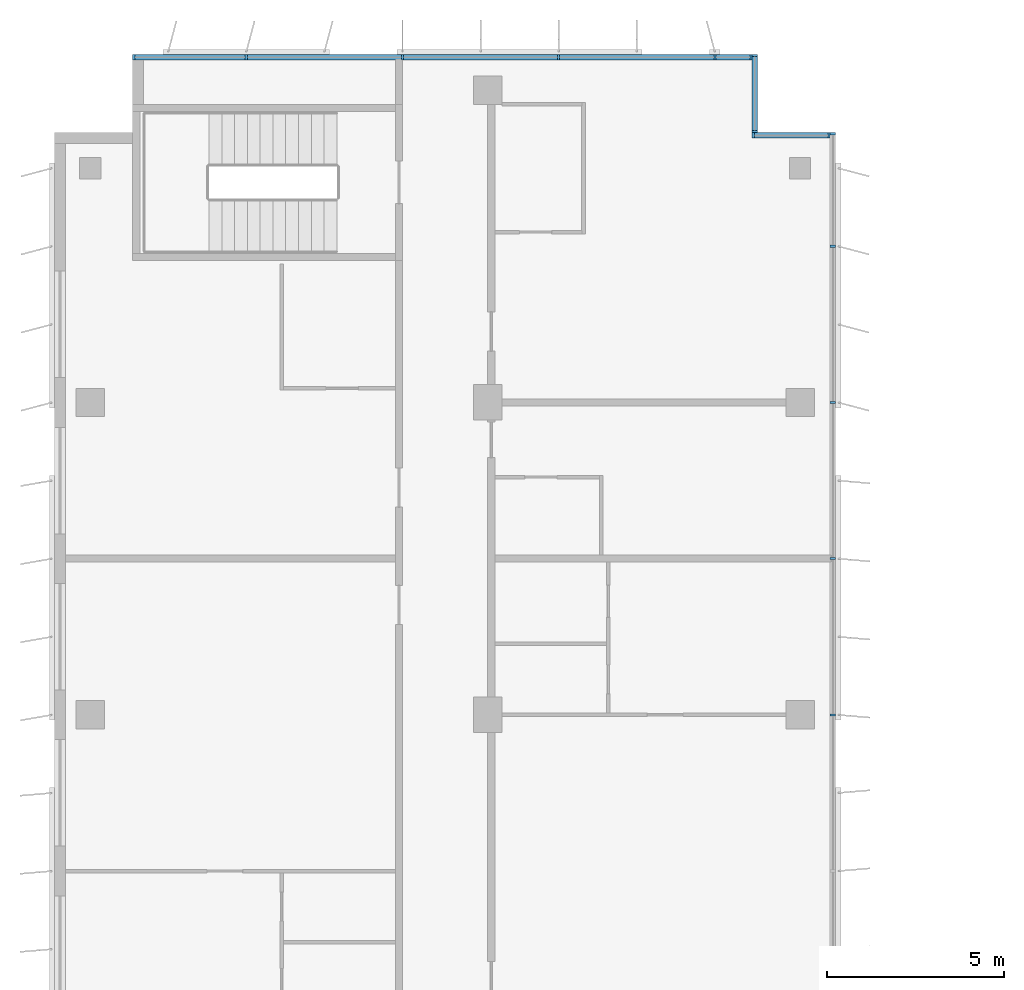
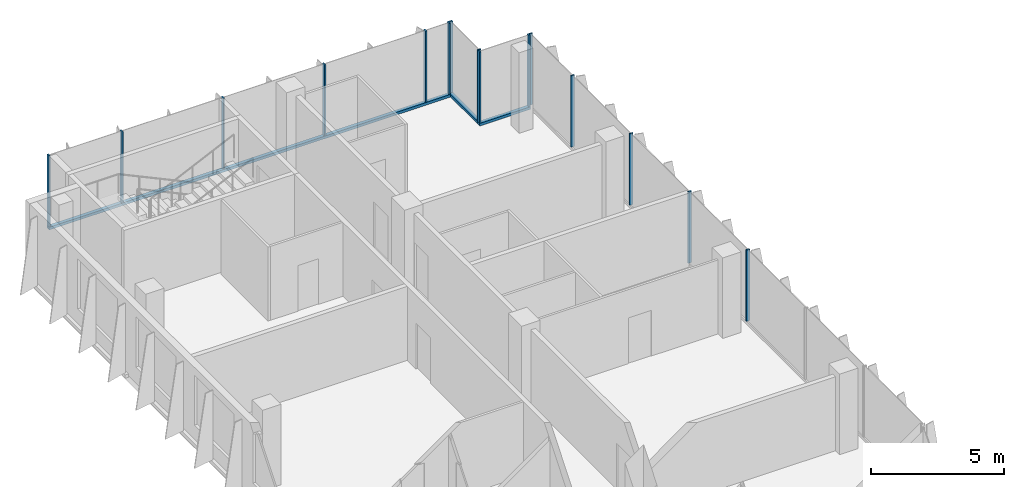
# One storey, part 6 of 15: 18 members, 4 elements without a shape of their own.
"""IFC4 building model written with IfcOpenShell, lengths in metres."""

from ifc_helpers import new_model, si_unit, direction, frame, origin, origin_2d, place, context, subcontext, project, spatial, rectangle, extrude, source, transform, mapped, material, material_profile, profile_set, type_object, element, aggregate, save


model = new_model("IFC4")

# Units and contexts
model_context = context("Model", 3, precision=1e-05, world=origin(), true_north=direction((0.0, 1.0)))
body_context = subcontext(model_context, "Body", "Model", "MODEL_VIEW")
ifc_project = project(units=[si_unit("LENGTHUNIT", "METRE"), si_unit("AREAUNIT", "SQUARE_METRE"), si_unit("VOLUMEUNIT", "CUBIC_METRE"), si_unit("PLANEANGLEUNIT", "RADIAN"), si_unit("MASSUNIT", "GRAM", prefix="KILO")], contexts=[model_context])

# Site, building, storey
site_placement = place(None, origin())
site = spatial("IfcSite", under=ifc_project, at=site_placement, CompositionType="ELEMENT")
building_placement = place(site_placement, origin())
building = spatial("IfcBuilding", under=site, at=building_placement, Name="Kemantara Hotel Tower", CompositionType="ELEMENT")
storey_placement = place(building_placement, frame((0.0, 0.0, 237.60009765625)))
storey = spatial("IfcBuildingStorey", under=building, at=storey_placement, Name="L59", CompositionType="ELEMENT", Elevation=237.60009765625)

# Curtain wall, member
ifc_material_1 = material(Name="Low-E tinted double insulated glass 36 mm", Category="glass")
curtain_wall_type = type_object("IfcCurtainWallType", Name="TOWER CURTAIN WALL, FRONT FACES", PredefinedType="USERDEFINED", material=ifc_material_1)
curtain_wall_1_placement = place(storey_placement, origin())
curtain_wall_1 = element("IfcCurtainWall", 1, at=curtain_wall_1_placement, inside=storey, type_object=curtain_wall_type, Name="CW4 L59 T4-R02-1", ObjectType="TOWER CURTAIN WALL, FRONT FACES", PredefinedType="USERDEFINED")
ifc_material_2 = material(Name="Aluminium 6063-T6 bronze anodised", Category="aluminium")
ifc_material_profile_1 = material_profile(ifc_material_2, rectangle(XDim=0.14990234375, YDim=0.1201171875, at=origin_2d()), Name="TOWER CURTAIN WALL, FRONT FACES TRANSOM")
ifc_profile_set_1 = profile_set([ifc_material_profile_1], Name="Aluminium 6063-T6 bronze anodised")
member_type_1 = type_object("IfcMemberType", Name="TOWER CURTAIN WALL, FRONT FACES TRANSOM", PredefinedType="USERDEFINED", material=ifc_profile_set_1)
member_1_placement = place(storey_placement, frame((19.64990234375, 63.52490234375, 0.059814453125), z_axis=(-1.0, 0.0, 0.0), x_axis=(0.0, -1.0, 0.0)))
member_1 = element("IfcMember", 2, at=member_1_placement, type_object=member_type_1, Name="CW4 sill transom T4-R02-1", ObjectType="TRANSOM", PredefinedType="USERDEFINED", context=body_context, shape_type="SweptSolid", body=[
    extrude(rectangle(XDim=0.14990234375, YDim=0.1201171875, at=origin_2d()), origin(), (0.0, 0.0, 1.0), 17.449951171875),
])

curtain_wall_2_placement = place(storey_placement, origin())
curtain_wall_2 = element("IfcCurtainWall", 3, at=curtain_wall_2_placement, inside=storey, type_object=curtain_wall_type, Name="CW4 L59 T4-R00-1", ObjectType="TOWER CURTAIN WALL, FRONT FACES", PredefinedType="USERDEFINED")
member_2_placement = place(storey_placement, frame((21.85009765625, 61.324951171875, 0.059814453125), z_axis=(-1.0, 0.0, 0.0), x_axis=(0.0, -1.0, 0.0)))
member_2 = element("IfcMember", 4, at=member_2_placement, type_object=member_type_1, Name="CW4 sill transom T4-R00-1", ObjectType="TRANSOM", PredefinedType="USERDEFINED", context=body_context, shape_type="SweptSolid", body=[
    extrude(rectangle(XDim=0.14990234375, YDim=0.1201171875, at=origin_2d()), origin(), (0.0, 0.0, 1.0), 2.2001953125),
])

curtain_wall_3_placement = place(storey_placement, origin())
curtain_wall_3 = element("IfcCurtainWall", 5, at=curtain_wall_3_placement, inside=storey, type_object=curtain_wall_type, Name="CW4 L59 T4-R01-1", ObjectType="TOWER CURTAIN WALL, FRONT FACES", PredefinedType="USERDEFINED")
member_3_placement = place(storey_placement, frame((19.72509765625, 61.39990234375, 0.059814453125), z_axis=(0.0, 1.0, 0.0), x_axis=(-1.0, 0.0, 0.0)))
member_3 = element("IfcMember", 6, at=member_3_placement, type_object=member_type_1, Name="CW4 sill transom T4-R01-1", ObjectType="TRANSOM", PredefinedType="USERDEFINED", context=body_context, shape_type="SweptSolid", body=[
    extrude(rectangle(XDim=0.14990234375, YDim=0.1201171875, at=origin_2d()), origin(), (0.0, 0.0, 1.0), 2.2001953125),
])

# Member
ifc_material_profile_2 = material_profile(ifc_material_2, rectangle(XDim=0.14990234375, YDim=0.06005859375, at=origin_2d()), Name="TOWER CURTAIN WALL, FRONT FACES MULLION")
ifc_profile_set_2 = profile_set([ifc_material_profile_2], Name="Aluminium 6063-T6 bronze anodised")
member_type_2 = type_object("IfcMemberType", Name="TOWER CURTAIN WALL, FRONT FACES MULLION", PredefinedType="MULLION", material=ifc_profile_set_2)
shared_shape = source(origin(), body_context, "Body", "SweptSolid", [
    extrude(rectangle(XDim=0.14990234375, YDim=0.06005859375, at=origin_2d()), origin(), (0.0, 0.0, 1.0), 3.280029296875),
])
member_4_placement = place(storey_placement, frame((19.6201171875, 63.52490234375, 0.119873046875), z_axis=(0.0, 0.0, 1.0), x_axis=(0.0, -1.0, 0.0)))
member_4 = element("IfcMember", 7, at=member_4_placement, type_object=member_type_2, Name="CW4 mullion T4-R02-1.1", PredefinedType="MULLION", context=body_context, shape_type="MappedRepresentation", body=[
    mapped(shared_shape, transform((0.0, 0.0, 0.0))),
])

member_5_placement = place(storey_placement, frame((18.60009765625, 63.52490234375, 0.119873046875), z_axis=(0.0, 0.0, 1.0), x_axis=(0.0, -1.0, 0.0)))
member_5 = element("IfcMember", 8, at=member_5_placement, type_object=member_type_2, Name="CW4 mullion T4-R02-1.2", PredefinedType="MULLION", context=body_context, shape_type="MappedRepresentation", body=[
    mapped(shared_shape, transform((0.0, 0.0, 0.0))),
])

member_6_placement = place(storey_placement, frame((14.199951171875, 63.52490234375, 0.119873046875), z_axis=(0.0, 0.0, 1.0), x_axis=(0.0, -1.0, 0.0)))
member_6 = element("IfcMember", 9, at=member_6_placement, type_object=member_type_2, Name="CW4 mullion T4-R02-1.3", PredefinedType="MULLION", context=body_context, shape_type="MappedRepresentation", body=[
    mapped(shared_shape, transform((0.0, 0.0, 0.0))),
])

member_7_placement = place(storey_placement, frame((9.800048828125, 63.52490234375, 0.119873046875), z_axis=(0.0, 0.0, 1.0), x_axis=(0.0, -1.0, 0.0)))
member_7 = element("IfcMember", 10, at=member_7_placement, type_object=member_type_2, Name="CW4 mullion T4-R02-1.4", PredefinedType="MULLION", context=body_context, shape_type="MappedRepresentation", body=[
    mapped(shared_shape, transform((0.0, 0.0, 0.0))),
])

member_8_placement = place(storey_placement, frame((5.39990234375, 63.52490234375, 0.119873046875), z_axis=(0.0, 0.0, 1.0), x_axis=(0.0, -1.0, 0.0)))
member_8 = element("IfcMember", 11, at=member_8_placement, type_object=member_type_2, Name="CW4 mullion T4-R02-1.5", PredefinedType="MULLION", context=body_context, shape_type="MappedRepresentation", body=[
    mapped(shared_shape, transform((0.0, 0.0, 0.0))),
])

member_9_placement = place(storey_placement, frame((2.22998046875, 63.52490234375, 0.119873046875), z_axis=(0.0, 0.0, 1.0), x_axis=(0.0, -1.0, 0.0)))
member_9 = element("IfcMember", 12, at=member_9_placement, type_object=member_type_2, Name="CW4 mullion T4-R02-1.6", PredefinedType="MULLION", context=body_context, shape_type="MappedRepresentation", body=[
    mapped(shared_shape, transform((0.0, 0.0, 0.0))),
])

aggregate(curtain_wall_1, [member_1, member_4, member_5, member_6, member_7, member_8, member_9])

# Curtain wall, members
curtain_wall_4_placement = place(storey_placement, origin())
curtain_wall_4 = element("IfcCurtainWall", 13, at=curtain_wall_4_placement, inside=storey, type_object=curtain_wall_type, Name="CW4 L59 T4-R15-1", ObjectType="TOWER CURTAIN WALL, FRONT FACES", PredefinedType="USERDEFINED")
member_10_placement = place(storey_placement, frame((21.925048828125, 45.0, 0.119873046875), z_axis=(0.0, 0.0, 1.0), x_axis=(-1.0, 0.0, 0.0)))
member_10 = element("IfcMember", 14, at=member_10_placement, type_object=member_type_2, Name="CW4 mullion T4-R15-1.6", PredefinedType="MULLION", context=body_context, shape_type="MappedRepresentation", body=[
    mapped(shared_shape, transform((0.0, 0.0, 0.0))),
])
member_11_placement = place(storey_placement, frame((21.925048828125, 49.39990234375, 0.119873046875), z_axis=(0.0, 0.0, 1.0), x_axis=(-1.0, 0.0, 0.0)))
member_11 = element("IfcMember", 15, at=member_11_placement, type_object=member_type_2, Name="CW4 mullion T4-R15-1.7", PredefinedType="MULLION", context=body_context, shape_type="MappedRepresentation", body=[
    mapped(shared_shape, transform((0.0, 0.0, 0.0))),
])
member_12_placement = place(storey_placement, frame((21.925048828125, 53.800048828125, 0.119873046875), z_axis=(0.0, 0.0, 1.0), x_axis=(-1.0, 0.0, 0.0)))
member_12 = element("IfcMember", 16, at=member_12_placement, type_object=member_type_2, Name="CW4 mullion T4-R15-1.8", PredefinedType="MULLION", context=body_context, shape_type="MappedRepresentation", body=[
    mapped(shared_shape, transform((0.0, 0.0, 0.0))),
])
member_13_placement = place(storey_placement, frame((21.925048828125, 58.199951171875, 0.119873046875), z_axis=(0.0, 0.0, 1.0), x_axis=(-1.0, 0.0, 0.0)))
member_13 = element("IfcMember", 17, at=member_13_placement, type_object=member_type_2, Name="CW4 mullion T4-R15-1.9", PredefinedType="MULLION", context=body_context, shape_type="MappedRepresentation", body=[
    mapped(shared_shape, transform((0.0, 0.0, 0.0))),
])
member_14_placement = place(storey_placement, frame((21.925048828125, 61.3701171875, 0.119873046875), z_axis=(0.0, 0.0, 1.0), x_axis=(-1.0, 0.0, 0.0)))
member_14 = element("IfcMember", 18, at=member_14_placement, type_object=member_type_2, Name="CW4 mullion T4-R15-1.10", PredefinedType="MULLION", context=body_context, shape_type="MappedRepresentation", body=[
    mapped(shared_shape, transform((0.0, 0.0, 0.0))),
])
aggregate(curtain_wall_4, [member_10, member_11, member_12, member_13, member_14])

# Member
member_15_placement = place(storey_placement, frame((21.820068359375, 61.324951171875, 0.119873046875), z_axis=(0.0, 0.0, 1.0), x_axis=(0.0, -1.0, 0.0)))
member_15 = element("IfcMember", 19, at=member_15_placement, type_object=member_type_2, Name="CW4 mullion T4-R00-1.1", PredefinedType="MULLION", context=body_context, shape_type="MappedRepresentation", body=[
    mapped(shared_shape, transform((0.0, 0.0, 0.0))),
])

member_16_placement = place(storey_placement, frame((19.679931640625, 61.324951171875, 0.119873046875), z_axis=(0.0, 0.0, 1.0), x_axis=(0.0, -1.0, 0.0)))
member_16 = element("IfcMember", 20, at=member_16_placement, type_object=member_type_2, Name="CW4 mullion T4-R00-1.2", PredefinedType="MULLION", context=body_context, shape_type="MappedRepresentation", body=[
    mapped(shared_shape, transform((0.0, 0.0, 0.0))),
])

aggregate(curtain_wall_2, [member_2, member_15, member_16])

member_17_placement = place(storey_placement, frame((19.72509765625, 61.429931640625, 0.119873046875), z_axis=(0.0, 0.0, 1.0), x_axis=(-1.0, 0.0, 0.0)))
member_17 = element("IfcMember", 21, at=member_17_placement, type_object=member_type_2, Name="CW4 mullion T4-R01-1.1", PredefinedType="MULLION", context=body_context, shape_type="MappedRepresentation", body=[
    mapped(shared_shape, transform((0.0, 0.0, 0.0))),
])

member_18_placement = place(storey_placement, frame((19.72509765625, 63.570068359375, 0.119873046875), z_axis=(0.0, 0.0, 1.0), x_axis=(-1.0, 0.0, 0.0)))
member_18 = element("IfcMember", 22, at=member_18_placement, type_object=member_type_2, Name="CW4 mullion T4-R01-1.2", PredefinedType="MULLION", context=body_context, shape_type="MappedRepresentation", body=[
    mapped(shared_shape, transform((0.0, 0.0, 0.0))),
])

aggregate(curtain_wall_3, [member_3, member_17, member_18])

save(model, "model.ifc")
